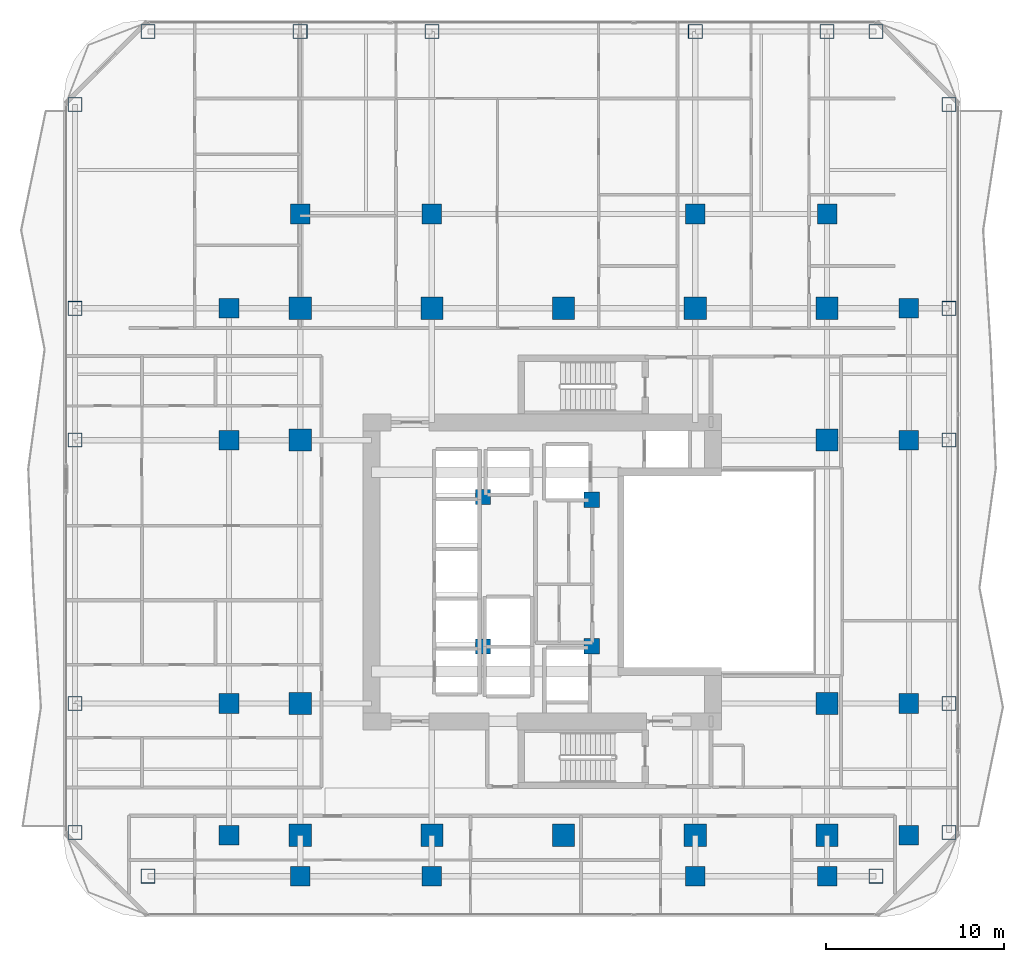
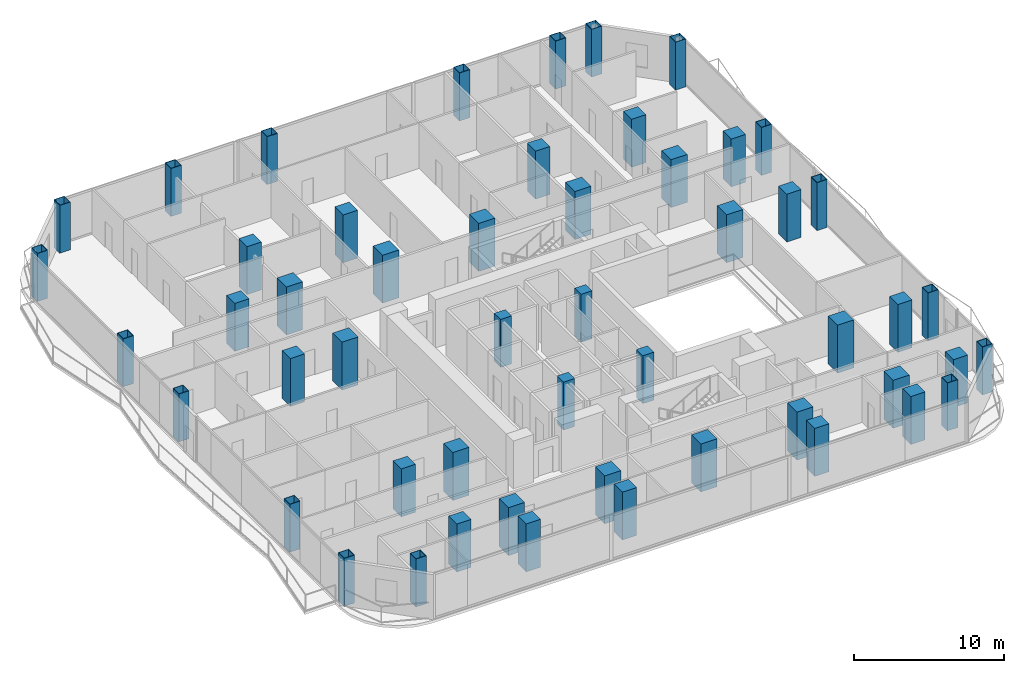
# One storey, part 1 of 28: 52 columns.
"""IFC4 building model written with IfcOpenShell, lengths in metres."""

from ifc_helpers import new_model, si_unit, direction, frame, origin, origin_2d, place, context, subcontext, project, spatial, rectangle, hollow_rectangle, extrude, material, material_profile, profile_set, type_object, element, save


model = new_model("IFC4")

# Units and contexts
model_context = context("Model", 3, precision=1e-05, world=origin(), true_north=direction((0.0, 1.0)))
body_context = subcontext(model_context, "Body", "Model", "MODEL_VIEW")
ifc_project = project(units=[si_unit("LENGTHUNIT", "METRE"), si_unit("AREAUNIT", "SQUARE_METRE"), si_unit("VOLUMEUNIT", "CUBIC_METRE"), si_unit("PLANEANGLEUNIT", "RADIAN"), si_unit("MASSUNIT", "GRAM", prefix="KILO")], contexts=[model_context])

# Site, building, storey
site_placement = place(None, origin())
site = spatial("IfcSite", under=ifc_project, at=site_placement, CompositionType="ELEMENT")
building_placement = place(site_placement, origin())
building = spatial("IfcBuilding", under=site, at=building_placement, Name="Khorvyn Point Tower", CompositionType="ELEMENT")
storey_placement = place(building_placement, frame((0.0, 0.0, 100.800048828125)))
storey = spatial("IfcBuildingStorey", under=building, at=storey_placement, Name="L25", CompositionType="ELEMENT", Elevation=100.800048828125)

# Columns
ifc_material_1 = material(Name="Concrete C40/50", Category="concrete")
ifc_material_profile_1 = material_profile(ifc_material_1, rectangle(XDim=0.85009765625, YDim=0.85009765625, at=origin_2d()))
ifc_profile_set_1 = profile_set([ifc_material_profile_1], Name="Concrete C40/50 RC850x850")
column_type_1 = type_object("IfcColumnType", Name="Concrete C40/50 Column RC850x850", PredefinedType="COLUMN", material=ifc_profile_set_1)
for number, where, z_axis, x_axis, name in (
    (1, (-4.52001953125, -4.199951171875, 0.0), (0.0, 0.0, 1.0), (1.0, 0.0, 0.0), "L25 Crown Core Spine Column 1"),
    (2, (1.580078125, -4.179931640625, 0.0), (0.0, 0.0, 1.0), (1.0, 0.0, 0.0), "L25 Crown Core Spine Column 2"),
    (3, (1.580078125, 4.050048828125, 0.0), (0.0, 0.0, 1.0), (1.0, 0.0, 0.0), "L25 Crown Core Spine Column 3"),
    (4, (-4.52001953125, 4.199951171875, 0.0), (0.0, 0.0, 1.0), (1.0, 0.0, 0.0), "L25 Crown Core Spine Column 4"),
):
    element("IfcColumn", number, at=place(storey_placement, frame(where, z_axis=z_axis, x_axis=x_axis)), inside=storey, type_object=column_type_1, Name=name, PredefinedType="COLUMN", context=body_context, shape_type="SweptSolid", body=[
        extrude(rectangle(XDim=0.85009765625, YDim=0.85009765625, at=origin_2d()), origin(), (0.0, 0.0, 1.0), 3.89990234375),
    ])
ifc_material_2 = material(Name="Concrete C45/55", Category="concrete")
ifc_material_profile_2 = material_profile(ifc_material_2, rectangle(XDim=1.10009765625, YDim=1.10009765625, at=origin_2d()))
ifc_profile_set_2 = profile_set([ifc_material_profile_2], Name="Concrete C45/55 RC1100x1100")
column_type_2 = type_object("IfcColumnType", Name="Concrete C45/55 Column RC1100x1100", PredefinedType="COLUMN", material=ifc_profile_set_2)
for number, where, z_axis, x_axis, name in (
    (5, (-18.800048828125, -14.800048828125, 0.0), (0.0, 0.0, 1.0), (1.0, 0.0, 0.0), "L25 Intermediate Column ICW--14"),
    (6, (-18.800048828125, -7.39990234375, 0.0), (0.0, 0.0, 1.0), (1.0, 0.0, 0.0), "L25 Intermediate Column ICW--7"),
    (7, (-18.800048828125, 7.39990234375, 0.0), (0.0, 0.0, 1.0), (1.0, 0.0, 0.0), "L25 Intermediate Column ICW-7"),
    (8, (-18.800048828125, 14.800048828125, 0.0), (0.0, 0.0, 1.0), (1.0, 0.0, 0.0), "L25 Intermediate Column ICW-14"),
    (9, (19.39990234375, -14.800048828125, 0.0), (0.0, 0.0, 1.0), (1.0, 0.0, 0.0), "L25 Intermediate Column ICE--14"),
    (10, (19.39990234375, -7.39990234375, 0.0), (0.0, 0.0, 1.0), (1.0, 0.0, 0.0), "L25 Intermediate Column ICE--7"),
    (11, (19.39990234375, 7.39990234375, 0.0), (0.0, 0.0, 1.0), (1.0, 0.0, 0.0), "L25 Intermediate Column ICE-7"),
    (12, (19.39990234375, 14.800048828125, 0.0), (0.0, 0.0, 1.0), (1.0, 0.0, 0.0), "L25 Intermediate Column ICE-14"),
    (13, (-14.800048828125, -17.10009765625, 0.0), (0.0, 0.0, 1.0), (1.0, 0.0, 0.0), "L25 Intermediate Column ICS--14"),
    (14, (-7.39990234375, -17.10009765625, 0.0), (0.0, 0.0, 1.0), (1.0, 0.0, 0.0), "L25 Intermediate Column ICS--7"),
    (15, (7.39990234375, -17.10009765625, 0.0), (0.0, 0.0, 1.0), (1.0, 0.0, 0.0), "L25 Intermediate Column ICS-7"),
    (16, (14.800048828125, -17.10009765625, 0.0), (0.0, 0.0, 1.0), (1.0, 0.0, 0.0), "L25 Intermediate Column ICS-14"),
    (17, (-14.800048828125, 20.10009765625, 0.0), (0.0, 0.0, 1.0), (1.0, 0.0, 0.0), "L25 Intermediate Column ICN--14"),
    (18, (-7.39990234375, 20.10009765625, 0.0), (0.0, 0.0, 1.0), (1.0, 0.0, 0.0), "L25 Intermediate Column ICN--7"),
    (19, (7.39990234375, 20.10009765625, 0.0), (0.0, 0.0, 1.0), (1.0, 0.0, 0.0), "L25 Intermediate Column ICN-7"),
    (20, (14.800048828125, 20.10009765625, 0.0), (0.0, 0.0, 1.0), (1.0, 0.0, 0.0), "L25 Intermediate Column ICN-14"),
):
    element("IfcColumn", number, at=place(storey_placement, frame(where, z_axis=z_axis, x_axis=x_axis)), inside=storey, type_object=column_type_2, Name=name, PredefinedType="COLUMN", context=body_context, shape_type="SweptSolid", body=[
        extrude(rectangle(XDim=1.10009765625, YDim=1.10009765625, at=origin_2d()), origin(), (0.0, 0.0, 1.0), 3.89990234375),
    ])
ifc_material_3 = material(Name="Concrete C50/60", Category="concrete")
ifc_material_profile_3 = material_profile(ifc_material_3, rectangle(XDim=1.25, YDim=1.25, at=origin_2d()))
ifc_profile_set_3 = profile_set([ifc_material_profile_3], Name="Concrete C50/60 RC1250x1250")
column_type_3 = type_object("IfcColumnType", Name="Concrete C50/60 Column RC1250x1250", PredefinedType="COLUMN", material=ifc_profile_set_3)
for number, where, z_axis, x_axis, name in (
    (21, (-14.800048828125, -14.800048828125, 0.0), (0.0, 0.0, 1.0), (1.0, 0.0, 0.0), "L25 Mega-Column MC-01"),
    (22, (-7.39990234375, -14.800048828125, 0.0), (0.0, 0.0, 1.0), (1.0, 0.0, 0.0), "L25 Mega-Column MC-02"),
    (23, (0.0, -14.800048828125, 0.0), (0.0, 0.0, 1.0), (1.0, 0.0, 0.0), "L25 Mega-Column MC-03"),
    (24, (7.39990234375, -14.800048828125, 0.0), (0.0, 0.0, 1.0), (1.0, 0.0, 0.0), "L25 Mega-Column MC-04"),
    (25, (14.800048828125, -14.800048828125, 0.0), (0.0, 0.0, 1.0), (1.0, 0.0, 0.0), "L25 Mega-Column MC-05"),
    (26, (-14.800048828125, 14.800048828125, 0.0), (0.0, 0.0, 1.0), (1.0, 0.0, 0.0), "L25 Mega-Column MC-06"),
    (27, (-7.39990234375, 14.800048828125, 0.0), (0.0, 0.0, 1.0), (1.0, 0.0, 0.0), "L25 Mega-Column MC-07"),
    (28, (0.0, 14.800048828125, 0.0), (0.0, 0.0, 1.0), (1.0, 0.0, 0.0), "L25 Mega-Column MC-08"),
    (29, (7.39990234375, 14.800048828125, 0.0), (0.0, 0.0, 1.0), (1.0, 0.0, 0.0), "L25 Mega-Column MC-09"),
    (30, (14.800048828125, 14.800048828125, 0.0), (0.0, 0.0, 1.0), (1.0, 0.0, 0.0), "L25 Mega-Column MC-10"),
    (31, (-14.800048828125, -7.39990234375, 0.0), (0.0, 0.0, 1.0), (1.0, 0.0, 0.0), "L25 Mega-Column MC-11"),
    (32, (-14.800048828125, 7.39990234375, 0.0), (0.0, 0.0, 1.0), (1.0, 0.0, 0.0), "L25 Mega-Column MC-12"),
    (33, (14.800048828125, -7.39990234375, 0.0), (0.0, 0.0, 1.0), (1.0, 0.0, 0.0), "L25 Mega-Column MC-13"),
    (34, (14.800048828125, 7.39990234375, 0.0), (0.0, 0.0, 1.0), (1.0, 0.0, 0.0), "L25 Mega-Column MC-14"),
):
    element("IfcColumn", number, at=place(storey_placement, frame(where, z_axis=z_axis, x_axis=x_axis)), inside=storey, type_object=column_type_3, Name=name, PredefinedType="COLUMN", context=body_context, shape_type="SweptSolid", body=[
        extrude(rectangle(XDim=1.25, YDim=1.25, at=origin_2d()), origin(), (0.0, 0.0, 1.0), 3.89990234375),
    ])
ifc_material_4 = material(Name="Steel S450", Category="steel")
ifc_material_profile_4 = material_profile(ifc_material_4, hollow_rectangle(XDim=0.800048828125, YDim=0.800048828125, WallThickness=0.035888671875, at=origin_2d()))
ifc_profile_set_4 = profile_set([ifc_material_profile_4], Name="Steel S450 BOX800x800x36")
column_type_4 = type_object("IfcColumnType", Name="Steel S450 Structural Column BOX800x800x36", PredefinedType="COLUMN", material=ifc_profile_set_4)
for number, where, z_axis, x_axis, name in (
    (35, (-23.35009765625, -17.10009765625, 0.0), (0.0, 0.0, 1.0), (1.0, 0.0, 0.0), "L25 Perimeter Tube Column TC-01"),
    (36, (17.550048828125, -17.10009765625, 0.0), (0.0, 0.0, 1.0), (1.0, 0.0, 0.0), "L25 Perimeter Tube Column TC-02"),
    (37, (-23.35009765625, 30.35009765625, 0.0), (0.0, 0.0, 1.0), (1.0, 0.0, 0.0), "L25 Perimeter Tube Column TC-03"),
    (38, (17.550048828125, 30.35009765625, 0.0), (0.0, 0.0, 1.0), (1.0, 0.0, 0.0), "L25 Perimeter Tube Column TC-04"),
    (39, (-27.449951171875, -14.64990234375, 0.0), (0.0, 0.0, 1.0), (1.0, 0.0, 0.0), "L25 Perimeter Tube Column TC-05"),
    (40, (-27.449951171875, 26.25, 0.0), (0.0, 0.0, 1.0), (1.0, 0.0, 0.0), "L25 Perimeter Tube Column TC-06"),
    (41, (21.64990234375, -14.64990234375, 0.0), (0.0, 0.0, 1.0), (1.0, 0.0, 0.0), "L25 Perimeter Tube Column TC-07"),
    (42, (21.64990234375, 26.25, 0.0), (0.0, 0.0, 1.0), (1.0, 0.0, 0.0), "L25 Perimeter Tube Column TC-08"),
    (43, (-14.800048828125, 30.35009765625, 0.0), (0.0, 0.0, 1.0), (1.0, 0.0, 0.0), "L25 Perimeter Tube Column TC-09"),
    (44, (-7.39990234375, 30.35009765625, 0.0), (0.0, 0.0, 1.0), (1.0, 0.0, 0.0), "L25 Perimeter Tube Column TC-10"),
    (45, (7.39990234375, 30.35009765625, 0.0), (0.0, 0.0, 1.0), (1.0, 0.0, 0.0), "L25 Perimeter Tube Column TC-11"),
    (46, (14.800048828125, 30.35009765625, 0.0), (0.0, 0.0, 1.0), (1.0, 0.0, 0.0), "L25 Perimeter Tube Column TC-12"),
    (47, (-27.449951171875, -7.39990234375, 0.0), (0.0, 0.0, 1.0), (1.0, 0.0, 0.0), "L25 Perimeter Tube Column TC-13"),
    (48, (21.64990234375, -7.39990234375, 0.0), (0.0, 0.0, 1.0), (1.0, 0.0, 0.0), "L25 Perimeter Tube Column TC-14"),
    (49, (-27.449951171875, 7.39990234375, 0.0), (0.0, 0.0, 1.0), (1.0, 0.0, 0.0), "L25 Perimeter Tube Column TC-15"),
    (50, (21.64990234375, 7.39990234375, 0.0), (0.0, 0.0, 1.0), (1.0, 0.0, 0.0), "L25 Perimeter Tube Column TC-16"),
    (51, (-27.449951171875, 14.800048828125, 0.0), (0.0, 0.0, 1.0), (1.0, 0.0, 0.0), "L25 Perimeter Tube Column TC-17"),
    (52, (21.64990234375, 14.800048828125, 0.0), (0.0, 0.0, 1.0), (1.0, 0.0, 0.0), "L25 Perimeter Tube Column TC-18"),
):
    element("IfcColumn", number, at=place(storey_placement, frame(where, z_axis=z_axis, x_axis=x_axis)), inside=storey, type_object=column_type_4, Name=name, PredefinedType="COLUMN", context=body_context, shape_type="SweptSolid", body=[
        extrude(hollow_rectangle(XDim=0.800048828125, YDim=0.800048828125, WallThickness=0.035888671875, at=origin_2d()), origin(), (0.0, 0.0, 1.0), 3.89990234375),
    ])

save(model, "model.ifc")
